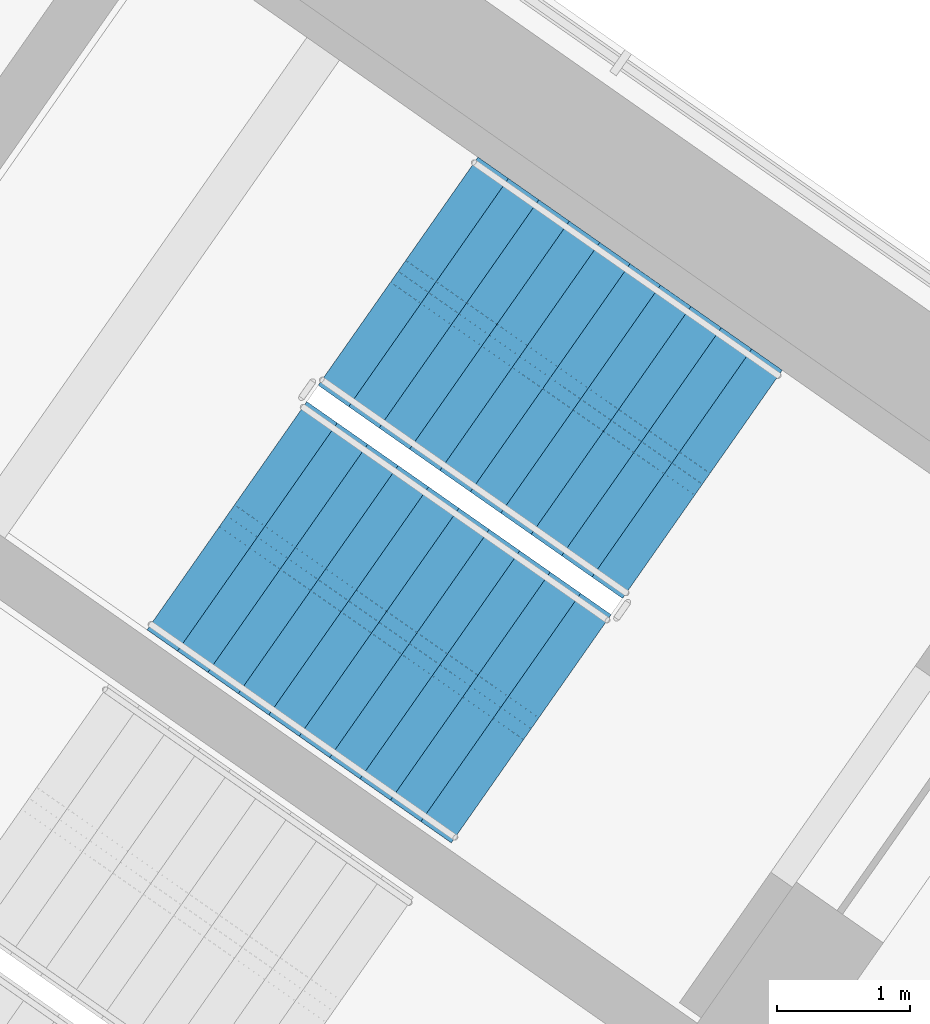
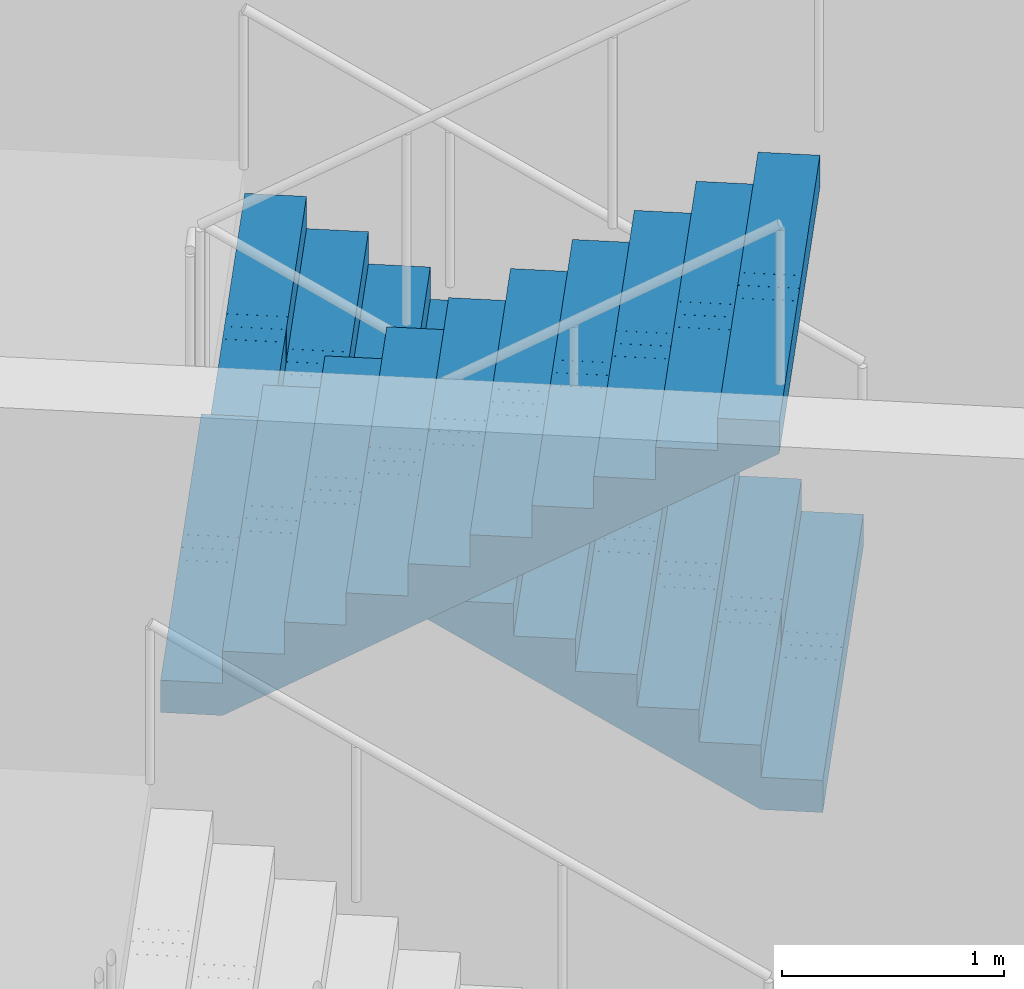
# One storey, part 18 of 23: 2 stair flights, 1 element without a shape of its own.
"""IFC4 building model written with IfcOpenShell, lengths in metres."""

from ifc_helpers import new_model, si_unit, direction, frame, origin, place, context, subcontext, project, spatial, polyline, outline, extrude, material, type_object, element, aggregate, save


model = new_model("IFC4")

# Units and contexts
model_context = context("Model", 3, precision=1e-05, world=origin(), true_north=direction((0.0, 1.0)))
body_context = subcontext(model_context, "Body", "Model", "MODEL_VIEW")
ifc_project = project(units=[si_unit("LENGTHUNIT", "METRE"), si_unit("AREAUNIT", "SQUARE_METRE"), si_unit("VOLUMEUNIT", "CUBIC_METRE"), si_unit("PLANEANGLEUNIT", "RADIAN"), si_unit("MASSUNIT", "GRAM", prefix="KILO")], contexts=[model_context])

# Site, building, storey
site_placement = place(None, origin())
site = spatial("IfcSite", under=ifc_project, at=site_placement, CompositionType="ELEMENT")
building_placement = place(site_placement, origin())
building = spatial("IfcBuilding", under=site, at=building_placement, Name="Tel Ilan Convention Tower", CompositionType="ELEMENT")
storey_placement = place(building_placement, frame((0.0, 0.0, 198.300048828125)))
storey = spatial("IfcBuildingStorey", under=building, at=storey_placement, Name="L46", CompositionType="ELEMENT", Elevation=198.300048828125)

# Stair, stair flights
ifc_material_1 = material(Name="Concrete C40/50", Category="concrete")
stair_type = type_object("IfcStairType", Name="Pressurised Exit Stair 22 risers 177 mm", PredefinedType="HALF_TURN_STAIR", material=ifc_material_1)
stair_placement = place(storey_placement, origin())
stair = element("IfcStair", 1, at=stair_placement, inside=storey, type_object=stair_type, Name="L46 Pressurised Stair S3", PredefinedType="HALF_TURN_STAIR")
ifc_material_2 = material(Name="Precast Concrete C40/50", Category="concrete")
stair_flight_type = type_object("IfcStairFlightType", Name="Concrete Stair Flight 2100 mm 22 risers 177 mm", PredefinedType="STRAIGHT", material=ifc_material_2)
stair_flight_1_placement = place(storey_placement, frame((24.25244140625, -7.032470703125, 0.0), z_axis=(0.0, 0.0, 1.0), x_axis=(-0.819152044289, 0.573576436351, 0.0)))
stair_flight_1 = element("IfcStairFlight", 2, at=stair_flight_1_placement, type_object=stair_flight_type, Name="S3 flight 1", NumberOfRisers=11, NumberOfTreads=10, PredefinedType="STRAIGHT", RiserHeight=0.177272727, TreadLength=0.28, context=body_context, shape_type="SweptSolid", body=[
    extrude(outline(polyline([(0.0, 0.0), (0.0, 0.17724609375), (0.280029296875, 0.17724609375), (0.280029296875, 0.3544921875), (0.56005859375, 0.3544921875), (0.56005859375, 0.53173828125), (0.840087890625, 0.53173828125), (0.840087890625, 0.708984375), (1.1201171875, 0.708984375), (1.1201171875, 0.886474609375), (1.39990234375, 0.886474609375), (1.39990234375, 1.063720703125), (1.679931640625, 1.063720703125), (1.679931640625, 1.240966796875), (1.9599609375, 1.240966796875), (1.9599609375, 1.418212890625), (2.239990234375, 1.418212890625), (2.239990234375, 1.595458984375), (2.52001953125, 1.595458984375), (2.52001953125, 1.772705078125), (2.800048828125, 1.772705078125), (2.800048828125, 1.949951171875), (2.800048828125, 1.59521484375), (0.2802734375, 0.0), (0.0, 0.0)])), frame((0.0, -0.100341796875, 0.0), z_axis=(0.0, -1.0, 0.0), x_axis=(1.0, 0.0, 0.0)), (0.0, 0.0, 1.0), 0.94970703125),
    extrude(outline(polyline([(0.0, 0.0), (0.0, 0.17724609375), (0.280029296875, 0.17724609375), (0.280029296875, 0.3544921875), (0.56005859375, 0.3544921875), (0.56005859375, 0.53173828125), (0.840087890625, 0.53173828125), (0.840087890625, 0.708984375), (1.1201171875, 0.708984375), (1.1201171875, 0.886474609375), (1.39990234375, 0.886474609375), (1.39990234375, 1.063720703125), (1.679931640625, 1.063720703125), (1.679931640625, 1.240966796875), (1.9599609375, 1.240966796875), (1.9599609375, 1.418212890625), (2.239990234375, 1.418212890625), (2.239990234375, 1.595458984375), (2.52001953125, 1.595458984375), (2.52001953125, 1.772705078125), (2.800048828125, 1.772705078125), (2.800048828125, 1.949951171875), (2.800048828125, 1.59521484375), (0.2802734375, 0.0), (0.0, 0.0)])), frame((0.0, -0.000244140625, 0.0), z_axis=(0.0, -1.0, 0.0), x_axis=(1.0, 0.0, 0.0)), (0.0, 0.0, 1.0), 0.099609375),
    extrude(outline(polyline([(0.0, 0.0), (0.0, 0.17724609375), (0.280029296875, 0.17724609375), (0.280029296875, 0.3544921875), (0.56005859375, 0.3544921875), (0.56005859375, 0.53173828125), (0.840087890625, 0.53173828125), (0.840087890625, 0.708984375), (1.1201171875, 0.708984375), (1.1201171875, 0.886474609375), (1.39990234375, 0.886474609375), (1.39990234375, 1.063720703125), (1.679931640625, 1.063720703125), (1.679931640625, 1.240966796875), (1.9599609375, 1.240966796875), (1.9599609375, 1.418212890625), (2.239990234375, 1.418212890625), (2.239990234375, 1.595458984375), (2.52001953125, 1.595458984375), (2.52001953125, 1.772705078125), (2.800048828125, 1.772705078125), (2.800048828125, 1.949951171875), (2.800048828125, 1.59521484375), (0.2802734375, 0.0), (0.0, 0.0)])), frame((0.0, 0.099853515625, 0.0), z_axis=(0.0, -1.0, 0.0), x_axis=(1.0, 0.0, 0.0)), (0.0, 0.0, 1.0), 0.099609375),
    extrude(outline(polyline([(0.0, 0.0), (0.0, 0.17724609375), (0.280029296875, 0.17724609375), (0.280029296875, 0.3544921875), (0.56005859375, 0.3544921875), (0.56005859375, 0.53173828125), (0.840087890625, 0.53173828125), (0.840087890625, 0.708984375), (1.1201171875, 0.708984375), (1.1201171875, 0.886474609375), (1.39990234375, 0.886474609375), (1.39990234375, 1.063720703125), (1.679931640625, 1.063720703125), (1.679931640625, 1.240966796875), (1.9599609375, 1.240966796875), (1.9599609375, 1.418212890625), (2.239990234375, 1.418212890625), (2.239990234375, 1.595458984375), (2.52001953125, 1.595458984375), (2.52001953125, 1.772705078125), (2.800048828125, 1.772705078125), (2.800048828125, 1.949951171875), (2.800048828125, 1.59521484375), (0.2802734375, 0.0), (0.0, 0.0)])), frame((0.0, 1.050048828125, 0.0), z_axis=(0.0, -1.0, 0.0), x_axis=(1.0, 0.0, 0.0)), (0.0, 0.0, 1.0), 0.94970703125),
])
stair_flight_2_placement = place(storey_placement, frame((20.668212890625, -7.26953125, 1.949951171875), z_axis=(0.0, 0.0, 1.0), x_axis=(0.819152044289, -0.573576436351, 0.0)))
stair_flight_2 = element("IfcStairFlight", 3, at=stair_flight_2_placement, type_object=stair_flight_type, Name="S3 flight 2", NumberOfRisers=11, NumberOfTreads=10, PredefinedType="STRAIGHT", RiserHeight=0.177272727, TreadLength=0.28, context=body_context, shape_type="SweptSolid", body=[
    extrude(outline(polyline([(0.0, 0.0), (0.0, 0.17724609375), (0.280029296875, 0.17724609375), (0.280029296875, 0.3544921875), (0.56005859375, 0.3544921875), (0.56005859375, 0.53173828125), (0.840087890625, 0.53173828125), (0.840087890625, 0.708984375), (1.1201171875, 0.708984375), (1.1201171875, 0.886474609375), (1.39990234375, 0.886474609375), (1.39990234375, 1.063720703125), (1.679931640625, 1.063720703125), (1.679931640625, 1.240966796875), (1.9599609375, 1.240966796875), (1.9599609375, 1.418212890625), (2.239990234375, 1.418212890625), (2.239990234375, 1.595458984375), (2.52001953125, 1.595458984375), (2.52001953125, 1.772705078125), (2.800048828125, 1.772705078125), (2.800048828125, 1.949951171875), (2.800048828125, 1.59521484375), (0.2802734375, 0.0), (0.0, 0.0)])), frame((0.0, -0.100341796875, 0.0), z_axis=(0.0, -1.0, 0.0), x_axis=(1.0, 0.0, 0.0)), (0.0, 0.0, 1.0), 0.94970703125),
    extrude(outline(polyline([(0.0, 0.0), (0.0, 0.17724609375), (0.280029296875, 0.17724609375), (0.280029296875, 0.3544921875), (0.56005859375, 0.3544921875), (0.56005859375, 0.53173828125), (0.840087890625, 0.53173828125), (0.840087890625, 0.708984375), (1.1201171875, 0.708984375), (1.1201171875, 0.886474609375), (1.39990234375, 0.886474609375), (1.39990234375, 1.063720703125), (1.679931640625, 1.063720703125), (1.679931640625, 1.240966796875), (1.9599609375, 1.240966796875), (1.9599609375, 1.418212890625), (2.239990234375, 1.418212890625), (2.239990234375, 1.595458984375), (2.52001953125, 1.595458984375), (2.52001953125, 1.772705078125), (2.800048828125, 1.772705078125), (2.800048828125, 1.949951171875), (2.800048828125, 1.59521484375), (0.2802734375, 0.0), (0.0, 0.0)])), frame((0.0, -0.000244140625, 0.0), z_axis=(0.0, -1.0, 0.0), x_axis=(1.0, 0.0, 0.0)), (0.0, 0.0, 1.0), 0.099609375),
    extrude(outline(polyline([(0.0, 0.0), (0.0, 0.17724609375), (0.280029296875, 0.17724609375), (0.280029296875, 0.3544921875), (0.56005859375, 0.3544921875), (0.56005859375, 0.53173828125), (0.840087890625, 0.53173828125), (0.840087890625, 0.708984375), (1.1201171875, 0.708984375), (1.1201171875, 0.886474609375), (1.39990234375, 0.886474609375), (1.39990234375, 1.063720703125), (1.679931640625, 1.063720703125), (1.679931640625, 1.240966796875), (1.9599609375, 1.240966796875), (1.9599609375, 1.418212890625), (2.239990234375, 1.418212890625), (2.239990234375, 1.595458984375), (2.52001953125, 1.595458984375), (2.52001953125, 1.772705078125), (2.800048828125, 1.772705078125), (2.800048828125, 1.949951171875), (2.800048828125, 1.59521484375), (0.2802734375, 0.0), (0.0, 0.0)])), frame((0.0, 0.099853515625, 0.0), z_axis=(0.0, -1.0, 0.0), x_axis=(1.0, 0.0, 0.0)), (0.0, 0.0, 1.0), 0.099609375),
    extrude(outline(polyline([(0.0, 0.0), (0.0, 0.17724609375), (0.280029296875, 0.17724609375), (0.280029296875, 0.3544921875), (0.56005859375, 0.3544921875), (0.56005859375, 0.53173828125), (0.840087890625, 0.53173828125), (0.840087890625, 0.708984375), (1.1201171875, 0.708984375), (1.1201171875, 0.886474609375), (1.39990234375, 0.886474609375), (1.39990234375, 1.063720703125), (1.679931640625, 1.063720703125), (1.679931640625, 1.240966796875), (1.9599609375, 1.240966796875), (1.9599609375, 1.418212890625), (2.239990234375, 1.418212890625), (2.239990234375, 1.595458984375), (2.52001953125, 1.595458984375), (2.52001953125, 1.772705078125), (2.800048828125, 1.772705078125), (2.800048828125, 1.949951171875), (2.800048828125, 1.59521484375), (0.2802734375, 0.0), (0.0, 0.0)])), frame((0.0, 1.050048828125, 0.0), z_axis=(0.0, -1.0, 0.0), x_axis=(1.0, 0.0, 0.0)), (0.0, 0.0, 1.0), 0.94970703125),
])
aggregate(stair, [stair_flight_1, stair_flight_2])

save(model, "model.ifc")
